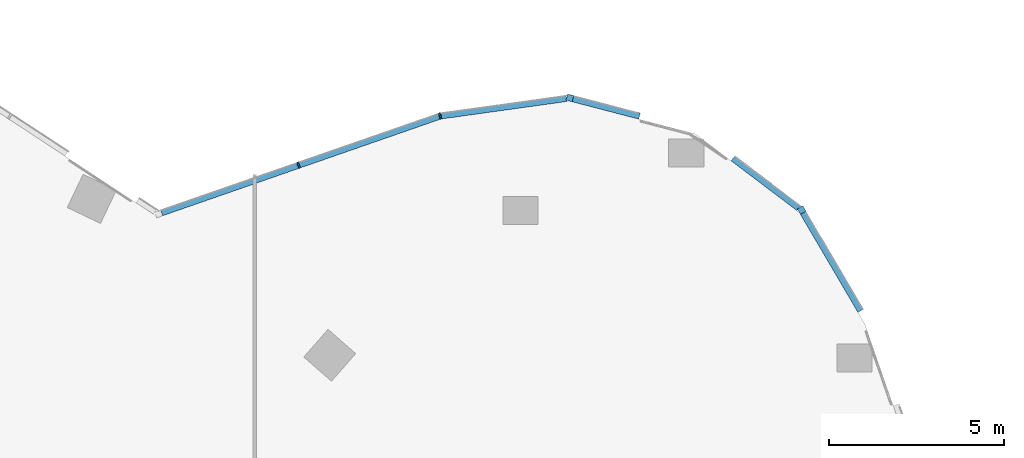
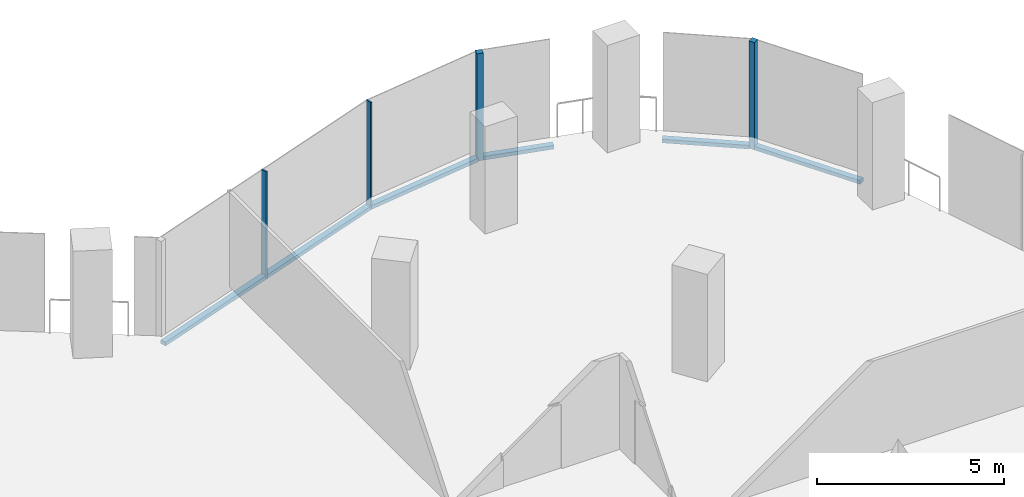
# One storey, part 10 of 26: 9 members, 5 elements without a shape of their own.
"""IFC4 building model written with IfcOpenShell, lengths in metres."""

from ifc_helpers import new_model, si_unit, direction, frame, origin, origin_2d, place, context, subcontext, project, spatial, rectangle, extrude, material, material_profile, profile_set, type_object, element, aggregate, save


model = new_model("IFC4")

# Units and contexts
model_context = context("Model", 3, precision=1e-05, world=origin(), true_north=direction((0.0, 1.0)))
body_context = subcontext(model_context, "Body", "Model", "MODEL_VIEW")
ifc_project = project(units=[si_unit("LENGTHUNIT", "METRE"), si_unit("AREAUNIT", "SQUARE_METRE"), si_unit("VOLUMEUNIT", "CUBIC_METRE"), si_unit("PLANEANGLEUNIT", "RADIAN"), si_unit("MASSUNIT", "GRAM", prefix="KILO")], contexts=[model_context])

# Site, building, storey
site_placement = place(None, origin())
site = spatial("IfcSite", under=ifc_project, at=site_placement, CompositionType="ELEMENT")
building_placement = place(site_placement, origin())
building = spatial("IfcBuilding", under=site, at=building_placement, Name="Orlundy Tower", CompositionType="ELEMENT")
storey_placement = place(building_placement, frame((0.0, 0.0, 232.0)))
storey = spatial("IfcBuildingStorey", under=building, at=storey_placement, Name="L61", CompositionType="ELEMENT", Elevation=232.0)

# Curtain wall, member
ifc_material_1 = material(Name="Aluminium bronze anodised", Category="aluminium")
curtain_wall_type = type_object("IfcCurtainWallType", Name="CW1 wall", PredefinedType="NOTDEFINED", material=ifc_material_1)
curtain_wall_1_placement = place(storey_placement, origin())
curtain_wall_1 = element("IfcCurtainWall", 1, at=curtain_wall_1_placement, inside=storey, type_object=curtain_wall_type, Name="CW1 run 020", PredefinedType="NOTDEFINED")
ifc_material_2 = material(Name="Aluminium bronze anodised", Category="aluminium")
ifc_material_profile_1 = material_profile(ifc_material_2, rectangle(XDim=0.179931640625, YDim=0.179931640625, at=origin_2d()), Name="CW1 corner post 180x180")
ifc_profile_set_1 = profile_set([ifc_material_profile_1], Name="Aluminium bronze anodised")
member_type_1 = type_object("IfcMemberType", Name="CW1 corner post 180x180", PredefinedType="MULLION", material=ifc_profile_set_1)
member_1_placement = place(storey_placement, frame((26.392333984375, 29.671630859375, -0.39990234375), z_axis=(0.0, 0.0, 1.0), x_axis=(0.251982569313, 0.967731773149, 0.0)))
member_1 = element("IfcMember", 2, at=member_1_placement, type_object=member_type_1, Name="CW1 mullion 42", PredefinedType="MULLION", context=body_context, shape_type="SweptSolid", body=[
    extrude(rectangle(XDim=0.179931640625, YDim=0.179931640625, at=origin_2d()), origin(), (0.0, 0.0, 1.0), 3.5),
])

curtain_wall_2_placement = place(storey_placement, origin())
curtain_wall_2 = element("IfcCurtainWall", 3, at=curtain_wall_2_placement, inside=storey, type_object=curtain_wall_type, Name="CW1 run 022", PredefinedType="NOTDEFINED")
member_2_placement = place(storey_placement, frame((32.99951171875, 26.471923828125, -0.39990234375), z_axis=(0.0, 0.0, 1.0), x_axis=(0.862287730604, 0.506418670322, 0.0)))
member_2 = element("IfcMember", 4, at=member_2_placement, type_object=member_type_1, Name="CW1 mullion 44", PredefinedType="MULLION", context=body_context, shape_type="SweptSolid", body=[
    extrude(rectangle(XDim=0.179931640625, YDim=0.179931640625, at=origin_2d()), origin(), (0.0, 0.0, 1.0), 3.5),
])

curtain_wall_3_placement = place(storey_placement, origin())
curtain_wall_3 = element("IfcCurtainWall", 5, at=curtain_wall_3_placement, inside=storey, type_object=curtain_wall_type, Name="CW1 run 018", PredefinedType="NOTDEFINED")
ifc_material_3 = material(Name="Aluminium bronze anodised", Category="aluminium")
ifc_material_profile_2 = material_profile(ifc_material_3, rectangle(XDim=0.179931640625, YDim=0.050048828125, at=origin_2d()), Name="CW1 mullion 50x180")
ifc_profile_set_2 = profile_set([ifc_material_profile_2], Name="Aluminium bronze anodised")
member_type_2 = type_object("IfcMemberType", Name="CW1 mullion 50x180", PredefinedType="MULLION", material=ifc_profile_set_2)
member_3_placement = place(storey_placement, frame((18.656005859375, 27.75341796875, -0.39990234375), z_axis=(0.0, 0.0, 1.0), x_axis=(-0.328297862498, 0.94457424985, 0.0)))
member_3 = element("IfcMember", 6, at=member_3_placement, type_object=member_type_2, Name="CW1 mullion 40", PredefinedType="MULLION", context=body_context, shape_type="SweptSolid", body=[
    extrude(rectangle(XDim=0.179931640625, YDim=0.050048828125, at=origin_2d()), origin(), (0.0, 0.0, 1.0), 3.5),
])

curtain_wall_4_placement = place(storey_placement, origin())
curtain_wall_4 = element("IfcCurtainWall", 7, at=curtain_wall_4_placement, inside=storey, type_object=curtain_wall_type, Name="CW1 run 019", PredefinedType="NOTDEFINED")
member_4_placement = place(storey_placement, frame((22.69384765625, 29.156982421875, -0.39990234375), z_axis=(0.0, 0.0, 1.0), x_axis=(-0.234191728403, 0.972190431113, 0.0)))
member_4 = element("IfcMember", 8, at=member_4_placement, type_object=member_type_2, Name="CW1 mullion 41", PredefinedType="MULLION", context=body_context, shape_type="SweptSolid", body=[
    extrude(rectangle(XDim=0.179931640625, YDim=0.050048828125, at=origin_2d()), origin(), (0.0, 0.0, 1.0), 3.5),
])

# Member
ifc_material_4 = material(Name="Aluminium bronze anodised", Category="aluminium")
ifc_material_profile_3 = material_profile(ifc_material_4, rectangle(XDim=0.179931640625, YDim=0.1201171875, at=origin_2d()), Name="CW1 transom 180x120")
ifc_profile_set_3 = profile_set([ifc_material_profile_3], Name="Aluminium bronze anodised")
member_type_3 = type_object("IfcMemberType", Name="CW1 transom 180x120", PredefinedType="USERDEFINED", material=ifc_profile_set_3)
member_5_placement = place(storey_placement, frame((14.75341796875, 26.397216796875, -0.340087890625), z_axis=(0.944577721122, 0.328287874828, 0.0), x_axis=(-0.328287874828, 0.944577721122, 0.0)))
member_5 = element("IfcMember", 9, at=member_5_placement, type_object=member_type_3, Name="CW1 transom", ObjectType="TRANSOM", PredefinedType="USERDEFINED", context=body_context, shape_type="SweptSolid", body=[
    extrude(rectangle(XDim=0.179931640625, YDim=0.1201171875, at=origin_2d()), origin(), (0.0, 0.0, 1.0), 8.38134765625),
])

aggregate(curtain_wall_3, [member_3, member_5])

member_6_placement = place(storey_placement, frame((22.71875, 29.160400390625, -0.340087890625), z_axis=(0.990455393576, 0.137833643701, 0.0), x_axis=(-0.137833643701, 0.990455393576, 0.0)))
member_6 = element("IfcMember", 10, at=member_6_placement, type_object=member_type_3, Name="CW1 transom", ObjectType="TRANSOM", PredefinedType="USERDEFINED", context=body_context, shape_type="SweptSolid", body=[
    extrude(rectangle(XDim=0.179931640625, YDim=0.1201171875, at=origin_2d()), origin(), (0.0, 0.0, 1.0), 3.611572265625),
])

aggregate(curtain_wall_4, [member_4, member_6])

member_7_placement = place(storey_placement, frame((26.4794921875, 29.64892578125, -0.340087890625), z_axis=(0.967741291661, -0.251946010911, 0.0), x_axis=(0.251946010911, 0.967741291661, 0.0)))
member_7 = element("IfcMember", 11, at=member_7_placement, type_object=member_type_3, Name="CW1 transom", ObjectType="TRANSOM", PredefinedType="USERDEFINED", context=body_context, shape_type="SweptSolid", body=[
    extrude(rectangle(XDim=0.179931640625, YDim=0.1201171875, at=origin_2d()), origin(), (0.0, 0.0, 1.0), 1.963134765625),
])

aggregate(curtain_wall_1, [member_1, member_7])

# Curtain wall, member
curtain_wall_5_placement = place(storey_placement, origin())
curtain_wall_5 = element("IfcCurtainWall", 12, at=curtain_wall_5_placement, inside=storey, type_object=curtain_wall_type, Name="CW1 run 021", PredefinedType="NOTDEFINED")
member_8_placement = place(storey_placement, frame((31.04443359375, 27.94970703125, -0.340087890625), z_axis=(0.797778607592, -0.602950489899, 0.0), x_axis=(0.602950489899, 0.797778607592, 0.0)))
member_8 = element("IfcMember", 13, at=member_8_placement, type_object=member_type_3, Name="CW1 transom", ObjectType="TRANSOM", PredefinedType="USERDEFINED", context=body_context, shape_type="SweptSolid", body=[
    extrude(rectangle(XDim=0.179931640625, YDim=0.1201171875, at=origin_2d()), origin(), (0.0, 0.0, 1.0), 2.353271484375),
])
aggregate(curtain_wall_5, [member_8])

# Member
member_9_placement = place(storey_placement, frame((33.045166015625, 26.394287109375, -0.340087890625), z_axis=(0.506390712682, -0.862304149421, 0.0), x_axis=(0.862304149421, 0.506390712682, 0.0)))
member_9 = element("IfcMember", 14, at=member_9_placement, type_object=member_type_3, Name="CW1 transom", ObjectType="TRANSOM", PredefinedType="USERDEFINED", context=body_context, shape_type="SweptSolid", body=[
    extrude(rectangle(XDim=0.179931640625, YDim=0.1201171875, at=origin_2d()), origin(), (0.0, 0.0, 1.0), 3.23828125),
])

aggregate(curtain_wall_2, [member_2, member_9])

save(model, "model.ifc")
